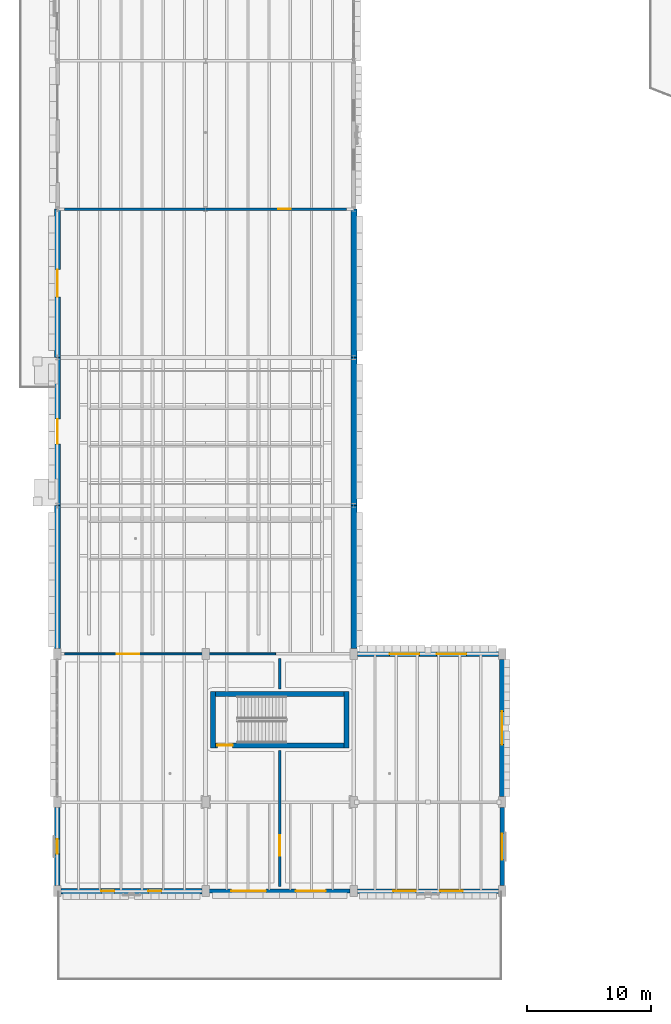
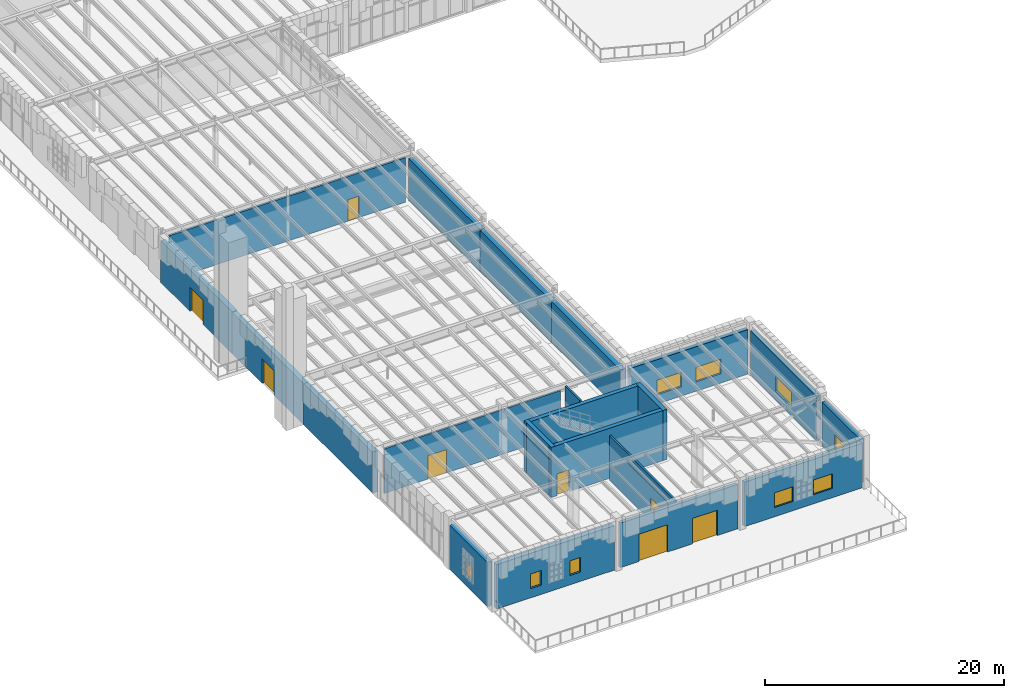
# One storey, part 51 of 103: 21 walls, 9 windows, 8 doors, 17 openings.
"""IFC4 building model written with IfcOpenShell, lengths in metres."""

from ifc_helpers import new_model, si_unit, direction, frame, frame_2d, origin, place, context, subcontext, project, spatial, rectangle, extrude, material, layer, layer_set, type_object, element, fill, save


model = new_model("IFC4")

# Units and contexts
model_context = context("Model", 3, precision=1e-05, world=origin(), true_north=direction((0.0, 1.0)))
body_context = subcontext(model_context, "Body", "Model", "MODEL_VIEW")
ifc_project = project(units=[si_unit("LENGTHUNIT", "METRE"), si_unit("AREAUNIT", "SQUARE_METRE"), si_unit("VOLUMEUNIT", "CUBIC_METRE"), si_unit("PLANEANGLEUNIT", "RADIAN"), si_unit("MASSUNIT", "GRAM", prefix="KILO")], contexts=[model_context])

# Site, building, storey
site_placement = place(None, origin())
site = spatial("IfcSite", under=ifc_project, at=site_placement, CompositionType="ELEMENT")
building_placement = place(site_placement, origin())
building = spatial("IfcBuilding", under=site, at=building_placement, Name="Zlatogorsky Bluff Art Gallery", CompositionType="ELEMENT")
storey_placement = place(building_placement, origin())
storey = spatial("IfcBuildingStorey", under=building, at=storey_placement, Name="L00", CompositionType="ELEMENT", Elevation=0.0)

# Wall, openings, windows
ifc_material_1 = material(Name="Precast concrete C40/50", Category="concrete")
ifc_layer_1 = layer(ifc_material_1, 0.360107421875)
ifc_layer_set_1 = layer_set([ifc_layer_1], Name="Exterior Wall EW-01 360mm")
wall_type_1 = type_object("IfcWallType", Name="Exterior Wall EW-01 360mm", PredefinedType="SOLIDWALL", material=ifc_layer_set_1)
wall_1_placement = place(storey_placement, frame((24.294921875, 7.199951171875, 0.0), z_axis=(0.0, 0.0, 1.0), x_axis=(1.0, 0.0, 0.0)))
wall_1 = element("IfcWall", 1, at=wall_1_placement, inside=storey, type_object=wall_type_1, Name="Exterior wall EW-01 L00 S 2.1", PredefinedType="SOLIDWALL", context=body_context, shape_type="SweptSolid", body=[
    extrude(rectangle(XDim=11.41015625, YDim=0.360107421875, at=frame_2d((5.705078125, 0.0))), origin(), (0.0, 0.0, 1.0), 4.56005859375),
])
opening_1_placement = place(wall_1_placement, frame((2.903076171875, 0.0, 0.949951171875)))
opening_1 = element("IfcOpeningElement", 2, at=opening_1_placement, cuts=wall_1, Name="Opening WN-07", PredefinedType="OPENING", context=body_context, shape_type="SweptSolid", body=[
    extrude(rectangle(XDim=1.800048828125, YDim=1.5, at=frame_2d((0.89990234375, 0.75))), frame((0.0, 0.18994140625, 0.0), z_axis=(0.0, -1.0, 0.0), x_axis=(1.0, 0.0, 0.0)), (0.0, 0.0, 1.0), 0.380126953125),
])
opening_2_placement = place(wall_1_placement, frame((6.70703125, 0.0, 0.949951171875)))
opening_2 = element("IfcOpeningElement", 3, at=opening_2_placement, cuts=wall_1, Name="Opening WN-07", PredefinedType="OPENING", context=body_context, shape_type="SweptSolid", body=[
    extrude(rectangle(XDim=1.800048828125, YDim=1.5, at=frame_2d((0.89990234375, 0.75))), frame((0.0, 0.18994140625, 0.0), z_axis=(0.0, -1.0, 0.0), x_axis=(1.0, 0.0, 0.0)), (0.0, 0.0, 1.0), 0.380126953125),
])
ifc_material_2 = material(Name="Bronze-Anodised Aluminium Triple Glazing", Category="aluminium")
window_type_1 = type_object("IfcWindowType", Name="Pointed-Reveal Window WN-07 1800x1500", PartitioningType="SINGLE_PANEL", PredefinedType="WINDOW", material=ifc_material_2)
window_1_placement = place(opening_1_placement, origin())
window_1 = element("IfcWindow", 4, at=window_1_placement, inside=storey, type_object=window_type_1, Name="Window WN-07 L00.S.2.1.1", OverallHeight=1.5, OverallWidth=1.800048828125, PartitioningType="SINGLE_PANEL", PredefinedType="WINDOW", context=body_context, shape_type="SweptSolid", body=[
    extrude(rectangle(XDim=1.800048828125, YDim=1.5, at=frame_2d((0.89990234375, 0.75))), frame((0.0, 0.030029296875, 0.0), z_axis=(0.0, -1.0, 0.0), x_axis=(1.0, 0.0, 0.0)), (0.0, 0.0, 1.0), 0.06005859375),
])
fill(opening_1, window_1)
window_2_placement = place(opening_2_placement, origin())
window_2 = element("IfcWindow", 5, at=window_2_placement, inside=storey, type_object=window_type_1, Name="Window WN-07 L00.S.2.1.2", OverallHeight=1.5, OverallWidth=1.800048828125, PartitioningType="SINGLE_PANEL", PredefinedType="WINDOW", context=body_context, shape_type="SweptSolid", body=[
    extrude(rectangle(XDim=1.800048828125, YDim=1.5, at=frame_2d((0.89990234375, 0.75))), frame((0.0, 0.030029296875, 0.0), z_axis=(0.0, -1.0, 0.0), x_axis=(1.0, 0.0, 0.0)), (0.0, 0.0, 1.0), 0.06005859375),
])
fill(opening_2, window_2)

# Wall, opening, window
wall_2_placement = place(storey_placement, frame((36.0, 7.64501953125, 0.0), z_axis=(0.0, 0.0, 1.0), x_axis=(0.0, 1.0, 0.0)))
wall_2 = element("IfcWall", 6, at=wall_2_placement, inside=storey, type_object=wall_type_1, Name="Exterior wall EW-01 L00 E 2.1", PredefinedType="SOLIDWALL", context=body_context, shape_type="SweptSolid", body=[
    extrude(rectangle(XDim=6.31005859375, YDim=0.360107421875, at=frame_2d((3.155029296875, 0.0))), origin(), (0.0, 0.0, 1.0), 4.56005859375),
])
opening_3_placement = place(wall_2_placement, frame((2.10498046875, 0.0, 0.949951171875)))
opening_3 = element("IfcOpeningElement", 7, at=opening_3_placement, cuts=wall_2, Name="Opening WN-08", PredefinedType="OPENING", context=body_context, shape_type="SweptSolid", body=[
    extrude(rectangle(XDim=2.10009765625, YDim=1.5, at=frame_2d((1.050048828125, 0.75))), frame((0.0, 0.18994140625, 0.0), z_axis=(0.0, -1.0, 0.0), x_axis=(1.0, 0.0, 0.0)), (0.0, 0.0, 1.0), 0.380126953125),
])
window_type_2 = type_object("IfcWindowType", Name="Pointed-Reveal Window WN-08 2100x1500", PartitioningType="SINGLE_PANEL", PredefinedType="WINDOW", material=ifc_material_2)
window_3_placement = place(opening_3_placement, origin())
window_3 = element("IfcWindow", 8, at=window_3_placement, inside=storey, type_object=window_type_2, Name="Window WN-08 L00.E.2.1.1", OverallHeight=1.5, OverallWidth=2.10009765625, PartitioningType="SINGLE_PANEL", PredefinedType="WINDOW", context=body_context, shape_type="SweptSolid", body=[
    extrude(rectangle(XDim=2.10009765625, YDim=1.5, at=frame_2d((1.050048828125, 0.75))), frame((0.0, 0.030029296875, 0.0), z_axis=(0.0, -1.0, 0.0), x_axis=(1.0, 0.0, 0.0)), (0.0, 0.0, 1.0), 0.06005859375),
])
fill(opening_3, window_3)

# Wall, openings, windows
ifc_layer_2 = layer(ifc_material_1, 0.39990234375)
ifc_layer_set_2 = layer_set([ifc_layer_2], Name="Exterior Wall EW-02 400mm")
wall_type_2 = type_object("IfcWallType", Name="Exterior Wall EW-02 400mm", PredefinedType="SOLIDWALL", material=ifc_layer_set_2)
wall_3_placement = place(storey_placement, frame((35.705078125, 26.39990234375, 0.0), z_axis=(0.0, 0.0, 1.0), x_axis=(-1.0, 0.0, 0.0)))
wall_3 = element("IfcWall", 9, at=wall_3_placement, inside=storey, type_object=wall_type_2, Name="Exterior wall EW-02 L00 N 2.2", PredefinedType="SOLIDWALL", context=body_context, shape_type="SweptSolid", body=[
    extrude(rectangle(XDim=11.41015625, YDim=0.39990234375, at=frame_2d((5.705078125, 0.0))), origin(), (0.0, 0.0, 1.0), 4.56005859375),
])
opening_4_placement = place(wall_3_placement, frame((2.60302734375, 0.0, 0.949951171875)))
opening_4 = element("IfcOpeningElement", 10, at=opening_4_placement, cuts=wall_3, Name="Opening WN-09", PredefinedType="OPENING", context=body_context, shape_type="SweptSolid", body=[
    extrude(rectangle(XDim=2.39990234375, YDim=1.5, at=frame_2d((1.199951171875, 0.75))), frame((0.0, 0.2099609375, 0.0), z_axis=(0.0, -1.0, 0.0), x_axis=(1.0, 0.0, 0.0)), (0.0, 0.0, 1.0), 0.419921875),
])
opening_5_placement = place(wall_3_placement, frame((6.406982421875, 0.0, 0.949951171875)))
opening_5 = element("IfcOpeningElement", 11, at=opening_5_placement, cuts=wall_3, Name="Opening WN-09", PredefinedType="OPENING", context=body_context, shape_type="SweptSolid", body=[
    extrude(rectangle(XDim=2.39990234375, YDim=1.5, at=frame_2d((1.199951171875, 0.75))), frame((0.0, 0.2099609375, 0.0), z_axis=(0.0, -1.0, 0.0), x_axis=(1.0, 0.0, 0.0)), (0.0, 0.0, 1.0), 0.419921875),
])
window_type_3 = type_object("IfcWindowType", Name="Pointed-Reveal Window WN-09 2400x1500", PartitioningType="SINGLE_PANEL", PredefinedType="WINDOW", material=ifc_material_2)
window_4_placement = place(opening_4_placement, origin())
window_4 = element("IfcWindow", 12, at=window_4_placement, inside=storey, type_object=window_type_3, Name="Window WN-09 L00.N.2.2.1", OverallHeight=1.5, OverallWidth=2.39990234375, PartitioningType="SINGLE_PANEL", PredefinedType="WINDOW", context=body_context, shape_type="SweptSolid", body=[
    extrude(rectangle(XDim=2.39990234375, YDim=1.5, at=frame_2d((1.199951171875, 0.75))), frame((0.0, 0.030029296875, 0.0), z_axis=(0.0, -1.0, 0.0), x_axis=(1.0, 0.0, 0.0)), (0.0, 0.0, 1.0), 0.06005859375),
])
fill(opening_4, window_4)
window_5_placement = place(opening_5_placement, origin())
window_5 = element("IfcWindow", 13, at=window_5_placement, inside=storey, type_object=window_type_3, Name="Window WN-09 L00.N.2.2.2", OverallHeight=1.5, OverallWidth=2.39990234375, PartitioningType="SINGLE_PANEL", PredefinedType="WINDOW", context=body_context, shape_type="SweptSolid", body=[
    extrude(rectangle(XDim=2.39990234375, YDim=1.5, at=frame_2d((1.199951171875, 0.75))), frame((0.0, 0.030029296875, 0.0), z_axis=(0.0, -1.0, 0.0), x_axis=(1.0, 0.0, 0.0)), (0.0, 0.0, 1.0), 0.06005859375),
])
fill(opening_5, window_5)

# Wall, opening, window
wall_4_placement = place(storey_placement, frame((36.0, 14.844970703125, 0.0), z_axis=(0.0, 0.0, 1.0), x_axis=(0.0, 1.0, 0.0)))
wall_4 = element("IfcWall", 14, at=wall_4_placement, inside=storey, type_object=wall_type_2, Name="Exterior wall EW-02 L00 E 2.2", PredefinedType="SOLIDWALL", context=body_context, shape_type="SweptSolid", body=[
    extrude(rectangle(XDim=11.110107421875, YDim=0.39990234375, at=frame_2d((5.55517578125, 0.0))), origin(), (0.0, 0.0, 1.0), 4.56005859375),
])
opening_6_placement = place(wall_4_placement, frame((4.205078125, 0.0, 0.949951171875)))
opening_6 = element("IfcOpeningElement", 15, at=opening_6_placement, cuts=wall_4, Name="Opening WN-10", PredefinedType="OPENING", context=body_context, shape_type="SweptSolid", body=[
    extrude(rectangle(XDim=2.699951171875, YDim=1.5, at=frame_2d((1.35009765625, 0.75))), frame((0.0, 0.2099609375, 0.0), z_axis=(0.0, -1.0, 0.0), x_axis=(1.0, 0.0, 0.0)), (0.0, 0.0, 1.0), 0.419921875),
])
window_type_4 = type_object("IfcWindowType", Name="Pointed-Reveal Window WN-10 2700x1500", PartitioningType="SINGLE_PANEL", PredefinedType="WINDOW", material=ifc_material_2)
window_6_placement = place(opening_6_placement, origin())
window_6 = element("IfcWindow", 16, at=window_6_placement, inside=storey, type_object=window_type_4, Name="Window WN-10 L00.E.2.2.1", OverallHeight=1.5, OverallWidth=2.699951171875, PartitioningType="SINGLE_PANEL", PredefinedType="WINDOW", context=body_context, shape_type="SweptSolid", body=[
    extrude(rectangle(XDim=2.699951171875, YDim=1.5, at=frame_2d((1.35009765625, 0.75))), frame((0.0, 0.030029296875, 0.0), z_axis=(0.0, -1.0, 0.0), x_axis=(1.0, 0.0, 0.0)), (0.0, 0.0, 1.0), 0.06005859375),
])
fill(opening_6, window_6)

# Wall, openings, windows
ifc_layer_3 = layer(ifc_material_1, 0.43994140625)
ifc_layer_set_3 = layer_set([ifc_layer_3], Name="Exterior Wall EW-03 440mm")
wall_type_3 = type_object("IfcWallType", Name="Exterior Wall EW-03 440mm", PredefinedType="SOLIDWALL", material=ifc_layer_set_3)
wall_5_placement = place(storey_placement, frame((0.294921875, 7.199951171875, 0.0), z_axis=(0.0, 0.0, 1.0), x_axis=(1.0, 0.0, 0.0)))
wall_5 = element("IfcWall", 17, at=wall_5_placement, inside=storey, type_object=wall_type_3, Name="Exterior wall EW-03 L00 S 0.1", PredefinedType="SOLIDWALL", context=body_context, shape_type="SweptSolid", body=[
    extrude(rectangle(XDim=11.41015625, YDim=0.43994140625, at=frame_2d((5.705078125, 0.0))), origin(), (0.0, 0.0, 1.0), 4.56005859375),
])
opening_7_placement = place(wall_5_placement, frame((3.278076171875, 0.0, 0.949951171875)))
opening_7 = element("IfcOpeningElement", 18, at=opening_7_placement, cuts=wall_5, Name="Opening WN-02", PredefinedType="OPENING", context=body_context, shape_type="SweptSolid", body=[
    extrude(rectangle(XDim=1.050048828125, YDim=1.5, at=frame_2d((0.52490234375, 0.75))), frame((0.0, 0.22998046875, 0.0), z_axis=(0.0, -1.0, 0.0), x_axis=(1.0, 0.0, 0.0)), (0.0, 0.0, 1.0), 0.4599609375),
])
opening_8_placement = place(wall_5_placement, frame((7.08203125, 0.0, 0.949951171875)))
opening_8 = element("IfcOpeningElement", 19, at=opening_8_placement, cuts=wall_5, Name="Opening WN-02", PredefinedType="OPENING", context=body_context, shape_type="SweptSolid", body=[
    extrude(rectangle(XDim=1.050048828125, YDim=1.5, at=frame_2d((0.52490234375, 0.75))), frame((0.0, 0.22998046875, 0.0), z_axis=(0.0, -1.0, 0.0), x_axis=(1.0, 0.0, 0.0)), (0.0, 0.0, 1.0), 0.4599609375),
])
window_type_5 = type_object("IfcWindowType", Name="Pointed-Reveal Window WN-02 1050x1500", PartitioningType="SINGLE_PANEL", PredefinedType="WINDOW", material=ifc_material_2)
window_7_placement = place(opening_7_placement, origin())
window_7 = element("IfcWindow", 20, at=window_7_placement, inside=storey, type_object=window_type_5, Name="Window WN-02 L00.S.0.1.1", OverallHeight=1.5, OverallWidth=1.050048828125, PartitioningType="SINGLE_PANEL", PredefinedType="WINDOW", context=body_context, shape_type="SweptSolid", body=[
    extrude(rectangle(XDim=1.050048828125, YDim=1.5, at=frame_2d((0.52490234375, 0.75))), frame((0.0, 0.030029296875, 0.0), z_axis=(0.0, -1.0, 0.0), x_axis=(1.0, 0.0, 0.0)), (0.0, 0.0, 1.0), 0.06005859375),
])
fill(opening_7, window_7)
window_8_placement = place(opening_8_placement, origin())
window_8 = element("IfcWindow", 21, at=window_8_placement, inside=storey, type_object=window_type_5, Name="Window WN-02 L00.S.0.1.2", OverallHeight=1.5, OverallWidth=1.050048828125, PartitioningType="SINGLE_PANEL", PredefinedType="WINDOW", context=body_context, shape_type="SweptSolid", body=[
    extrude(rectangle(XDim=1.050048828125, YDim=1.5, at=frame_2d((0.52490234375, 0.75))), frame((0.0, 0.030029296875, 0.0), z_axis=(0.0, -1.0, 0.0), x_axis=(1.0, 0.0, 0.0)), (0.0, 0.0, 1.0), 0.06005859375),
])
fill(opening_8, window_8)

# Wall, opening, window
wall_6_placement = place(storey_placement, frame((0.0, 13.955078125, 0.0), z_axis=(0.0, 0.0, 1.0), x_axis=(0.0, -1.0, 0.0)))
wall_6 = element("IfcWall", 22, at=wall_6_placement, inside=storey, type_object=wall_type_3, Name="Exterior wall EW-03 L00 W 0.1", PredefinedType="SOLIDWALL", context=body_context, shape_type="SweptSolid", body=[
    extrude(rectangle(XDim=6.31005859375, YDim=0.43994140625, at=frame_2d((3.155029296875, 0.0))), origin(), (0.0, 0.0, 1.0), 4.56005859375),
])
opening_9_placement = place(wall_6_placement, frame((2.554931640625, 0.0, 0.949951171875)))
opening_9 = element("IfcOpeningElement", 23, at=opening_9_placement, cuts=wall_6, Name="Opening WN-03", PredefinedType="OPENING", context=body_context, shape_type="SweptSolid", body=[
    extrude(rectangle(XDim=1.199951171875, YDim=1.5, at=frame_2d((0.60009765625, 0.75))), frame((0.0, 0.22998046875, 0.0), z_axis=(0.0, -1.0, 0.0), x_axis=(1.0, 0.0, 0.0)), (0.0, 0.0, 1.0), 0.4599609375),
])
window_type_6 = type_object("IfcWindowType", Name="Pointed-Reveal Window WN-03 1200x1500", PartitioningType="SINGLE_PANEL", PredefinedType="WINDOW", material=ifc_material_2)
window_9_placement = place(opening_9_placement, origin())
window_9 = element("IfcWindow", 24, at=window_9_placement, inside=storey, type_object=window_type_6, Name="Window WN-03 L00.W.0.1.1", OverallHeight=1.5, OverallWidth=1.199951171875, PartitioningType="SINGLE_PANEL", PredefinedType="WINDOW", context=body_context, shape_type="SweptSolid", body=[
    extrude(rectangle(XDim=1.199951171875, YDim=1.5, at=frame_2d((0.60009765625, 0.75))), frame((0.0, 0.030029296875, 0.0), z_axis=(0.0, -1.0, 0.0), x_axis=(1.0, 0.0, 0.0)), (0.0, 0.0, 1.0), 0.06005859375),
])
fill(opening_9, window_9)

# Wall, openings, doors
ifc_layer_4 = layer(ifc_material_1, 0.320068359375)
ifc_layer_set_4 = layer_set([ifc_layer_4], Name="Exterior Wall EW-04 320mm")
wall_type_4 = type_object("IfcWallType", Name="Exterior Wall EW-04 320mm", PredefinedType="SOLIDWALL", material=ifc_layer_set_4)
wall_7_placement = place(storey_placement, frame((12.294921875, 7.199951171875, 0.0), z_axis=(0.0, 0.0, 1.0), x_axis=(1.0, 0.0, 0.0)))
wall_7 = element("IfcWall", 25, at=wall_7_placement, inside=storey, type_object=wall_type_4, Name="Exterior wall EW-04 L00 S 1.1", PredefinedType="SOLIDWALL", context=body_context, shape_type="SweptSolid", body=[
    extrude(rectangle(XDim=11.41015625, YDim=0.320068359375, at=frame_2d((5.705078125, 0.0))), origin(), (0.0, 0.0, 1.0), 4.56005859375),
])
opening_10_placement = place(wall_7_placement, frame((1.794921875, 0.0, 0.0)))
opening_10 = element("IfcOpeningElement", 26, at=opening_10_placement, cuts=wall_7, Name="Opening ED-T3", PredefinedType="OPENING", context=body_context, shape_type="SweptSolid", body=[
    extrude(rectangle(XDim=2.800048828125, YDim=2.800048828125, at=frame_2d((1.39990234375, 1.39990234375))), frame((0.0, 0.169921875, 0.0), z_axis=(0.0, -1.0, 0.0), x_axis=(1.0, 0.0, 0.0)), (0.0, 0.0, 1.0), 0.340087890625),
])
opening_11_placement = place(wall_7_placement, frame((7.014892578125, 0.0, 0.0)))
opening_11 = element("IfcOpeningElement", 27, at=opening_11_placement, cuts=wall_7, Name="Opening ED-T2", PredefinedType="OPENING", context=body_context, shape_type="SweptSolid", body=[
    extrude(rectangle(XDim=2.39990234375, YDim=2.60009765625, at=frame_2d((1.199951171875, 1.300048828125))), frame((0.0, 0.169921875, 0.0), z_axis=(0.0, -1.0, 0.0), x_axis=(1.0, 0.0, 0.0)), (0.0, 0.0, 1.0), 0.340087890625),
])
ifc_material_3 = material(Name="Bronze-Clad Thermally Broken Steel and Laminated Glass", Category="steel")
door_type_1 = type_object("IfcDoorType", Name="Exterior Door ED-T2 2400x2600", OperationType="DOUBLE_DOOR_SINGLE_SWING", PredefinedType="DOOR", material=ifc_material_3)
door_1_placement = place(opening_11_placement, frame((2.39990234375, 0.0, 0.0), z_axis=(0.0, 0.0, 1.0), x_axis=(-1.0, 0.0, 0.0)))
door_1 = element("IfcDoor", 28, at=door_1_placement, inside=storey, type_object=door_type_1, Name="Ground exit portal double door ED-T2 S.1.1.2", OperationType="DOUBLE_DOOR_SINGLE_SWING", OverallHeight=2.60009765625, OverallWidth=2.39990234375, PredefinedType="DOOR", context=body_context, shape_type="SweptSolid", body=[
    extrude(rectangle(XDim=2.39990234375, YDim=2.60009765625, at=frame_2d((1.199951171875, 1.300048828125))), frame((0.0, 0.02490234375, 0.0), z_axis=(0.0, -1.0, 0.0), x_axis=(1.0, 0.0, 0.0)), (0.0, 0.0, 1.0), 0.050048828125),
])
fill(opening_11, door_1)
door_type_2 = type_object("IfcDoorType", Name="Exterior Door ED-T3 2800x2800", OperationType="DOUBLE_DOOR_SINGLE_SWING", PredefinedType="DOOR", material=ifc_material_3)
door_2_placement = place(opening_10_placement, frame((2.800048828125, 0.0, 0.0), z_axis=(0.0, 0.0, 1.0), x_axis=(-1.0, 0.0, 0.0)))
door_2 = element("IfcDoor", 29, at=door_2_placement, inside=storey, type_object=door_type_2, Name="Ground exit portal double door ED-T3 S.1.1.1", OperationType="DOUBLE_DOOR_SINGLE_SWING", OverallHeight=2.800048828125, OverallWidth=2.800048828125, PredefinedType="DOOR", context=body_context, shape_type="SweptSolid", body=[
    extrude(rectangle(XDim=2.800048828125, YDim=2.800048828125, at=frame_2d((1.39990234375, 1.39990234375))), frame((0.0, 0.02490234375, 0.0), z_axis=(0.0, -1.0, 0.0), x_axis=(1.0, 0.0, 0.0)), (0.0, 0.0, 1.0), 0.050048828125),
])
fill(opening_10, door_2)

# Wall
ifc_layer_5 = layer(ifc_material_1, 0.47998046875)
ifc_layer_set_5 = layer_set([ifc_layer_5], Name="Exterior Wall EW-05 480mm")
wall_type_5 = type_object("IfcWallType", Name="Exterior Wall EW-05 480mm", PredefinedType="SOLIDWALL", material=ifc_layer_set_5)
wall_8_placement = place(storey_placement, frame((0.0, 38.39990234375, 0.0), z_axis=(0.0, 0.0, 1.0), x_axis=(0.0, -1.0, 0.0)))
element("IfcWall", 30, at=wall_8_placement, inside=storey, type_object=wall_type_5, Name="Exterior wall EW-05 L00 W 0.3", PredefinedType="SOLIDWALL", context=body_context, shape_type="SweptSolid", body=[
    extrude(rectangle(XDim=11.554931640625, YDim=0.47998046875, at=frame_2d((5.77734375, 0.0))), origin(), (0.0, 0.0, 1.0), 4.2099609375),
])

# Wall, opening, door
wall_9_placement = place(storey_placement, frame((0.0, 50.39990234375, 0.0), z_axis=(0.0, 0.0, 1.0), x_axis=(0.0, -1.0, 0.0)))
wall_9 = element("IfcWall", 31, at=wall_9_placement, inside=storey, type_object=wall_type_5, Name="Exterior wall EW-05 L00 W 0.4", PredefinedType="SOLIDWALL", context=body_context, shape_type="SweptSolid", body=[
    extrude(rectangle(XDim=12.0, YDim=0.47998046875, at=frame_2d((6.0, 0.0))), origin(), (0.0, 0.0, 1.0), 4.2099609375),
])
opening_12_placement = place(wall_9_placement, frame((5.0, 0.0, 0.0)))
opening_12 = element("IfcOpeningElement", 32, at=opening_12_placement, cuts=wall_9, Name="Opening ED-T1", PredefinedType="OPENING", context=body_context, shape_type="SweptSolid", body=[
    extrude(rectangle(XDim=2.0, YDim=2.5, at=frame_2d((1.0, 1.25))), frame((0.0, 0.25, 0.0), z_axis=(0.0, -1.0, 0.0), x_axis=(1.0, 0.0, 0.0)), (0.0, 0.0, 1.0), 0.5),
])
door_type_3 = type_object("IfcDoorType", Name="Exterior Door ED-T1 2000x2500", OperationType="DOUBLE_DOOR_SINGLE_SWING", PredefinedType="DOOR", material=ifc_material_3)
door_3_placement = place(opening_12_placement, frame((2.0, 0.0, 0.0), z_axis=(0.0, 0.0, 1.0), x_axis=(-1.0, 0.0, 0.0)))
door_3 = element("IfcDoor", 33, at=door_3_placement, inside=storey, type_object=door_type_3, Name="Ground entrance door ED-T1", OperationType="DOUBLE_DOOR_SINGLE_SWING", OverallHeight=2.5, OverallWidth=2.0, PredefinedType="DOOR", context=body_context, shape_type="SweptSolid", body=[
    extrude(rectangle(XDim=2.0, YDim=2.5, at=frame_2d((1.0, 1.25))), frame((0.0, 0.02490234375, 0.0), z_axis=(0.0, -1.0, 0.0), x_axis=(1.0, 0.0, 0.0)), (0.0, 0.0, 1.0), 0.050048828125),
])
fill(opening_12, door_3)

wall_10_placement = place(storey_placement, frame((0.0, 62.39990234375, 0.0), z_axis=(0.0, 0.0, 1.0), x_axis=(0.0, -1.0, 0.0)))
wall_10 = element("IfcWall", 34, at=wall_10_placement, inside=storey, type_object=wall_type_5, Name="Exterior wall EW-05 L00 W 0.5", PredefinedType="SOLIDWALL", context=body_context, shape_type="SweptSolid", body=[
    extrude(rectangle(XDim=12.0, YDim=0.47998046875, at=frame_2d((6.0, 0.0))), origin(), (0.0, 0.0, 1.0), 4.31005859375),
])
opening_13_placement = place(wall_10_placement, frame((4.89990234375, 0.0, 0.0)))
opening_13 = element("IfcOpeningElement", 35, at=opening_13_placement, cuts=wall_10, Name="Opening ED-T4", PredefinedType="OPENING", context=body_context, shape_type="SweptSolid", body=[
    extrude(rectangle(XDim=2.199951171875, YDim=2.5, at=frame_2d((1.10009765625, 1.25))), frame((0.0, 0.25, 0.0), z_axis=(0.0, -1.0, 0.0), x_axis=(1.0, 0.0, 0.0)), (0.0, 0.0, 1.0), 0.5),
])
door_type_4 = type_object("IfcDoorType", Name="Exterior Door ED-T4 2200x2500", OperationType="DOUBLE_DOOR_SLIDING", PredefinedType="DOOR", material=ifc_material_3)
door_4_placement = place(opening_13_placement, origin())
door_4 = element("IfcDoor", 36, at=door_4_placement, inside=storey, type_object=door_type_4, Name="Ground entrance door ED-T4", OperationType="DOUBLE_DOOR_SLIDING", OverallHeight=2.5, OverallWidth=2.199951171875, PredefinedType="DOOR", context=body_context, shape_type="SweptSolid", body=[
    extrude(rectangle(XDim=2.199951171875, YDim=2.5, at=frame_2d((1.10009765625, 1.25))), frame((0.0, 0.02490234375, 0.0), z_axis=(0.0, -1.0, 0.0), x_axis=(1.0, 0.0, 0.0)), (0.0, 0.0, 1.0), 0.050048828125),
])
fill(opening_13, door_4)

# Walls
wall_11_placement = place(storey_placement, frame((24.0, 26.844970703125, 0.0), z_axis=(0.0, 0.0, 1.0), x_axis=(0.0, 1.0, 0.0)))
element("IfcWall", 37, at=wall_11_placement, inside=storey, type_object=wall_type_5, Name="Exterior wall EW-05 L00 E 1.3", PredefinedType="SOLIDWALL", context=body_context, shape_type="SweptSolid", body=[
    extrude(rectangle(XDim=11.554931640625, YDim=0.47998046875, at=frame_2d((5.77734375, 0.0))), origin(), (0.0, 0.0, 1.0), 4.2099609375),
])
wall_12_placement = place(storey_placement, frame((24.0, 38.39990234375, 0.0), z_axis=(0.0, 0.0, 1.0), x_axis=(0.0, 1.0, 0.0)))
element("IfcWall", 38, at=wall_12_placement, inside=storey, type_object=wall_type_5, Name="Exterior wall EW-05 L00 E 1.4", PredefinedType="SOLIDWALL", context=body_context, shape_type="SweptSolid", body=[
    extrude(rectangle(XDim=12.0, YDim=0.47998046875, at=frame_2d((6.0, 0.0))), origin(), (0.0, 0.0, 1.0), 4.2099609375),
])
wall_13_placement = place(storey_placement, frame((24.0, 50.39990234375, 0.0), z_axis=(0.0, 0.0, 1.0), x_axis=(0.0, 1.0, 0.0)))
element("IfcWall", 39, at=wall_13_placement, inside=storey, type_object=wall_type_5, Name="Exterior wall EW-05 L00 E 1.5", PredefinedType="SOLIDWALL", context=body_context, shape_type="SweptSolid", body=[
    extrude(rectangle(XDim=12.0, YDim=0.47998046875, at=frame_2d((6.0, 0.0))), origin(), (0.0, 0.0, 1.0), 4.31005859375),
])

# Wall, opening, door
ifc_material_4 = material(Name="Concrete C30/37", Category="concrete")
ifc_layer_6 = layer(ifc_material_4, 0.14990234375)
ifc_layer_set_6 = layer_set([ifc_layer_6], Name="Interior Wall IW-01 150mm")
wall_type_6 = type_object("IfcWallType", Name="Interior Wall IW-01 150mm", PredefinedType="PARTITIONING", material=ifc_layer_set_6)
wall_14_placement = place(storey_placement, frame((0.594482421875, 26.39990234375, 0.0), z_axis=(0.0, 0.0, 1.0), x_axis=(1.0, 0.0, 0.0)))
wall_14 = element("IfcWall", 40, at=wall_14_placement, inside=storey, type_object=wall_type_6, Name="Partition IW-01 between L00-E1-11 and L00-A1", PredefinedType="PARTITIONING", context=body_context, shape_type="SweptSolid", body=[
    extrude(rectangle(XDim=17.068115234375, YDim=0.14990234375, at=frame_2d((8.5341796875, 0.0))), origin(), (0.0, 0.0, 1.0), 4.570068359375),
])
opening_14_placement = place(wall_14_placement, frame((4.219970703125, 0.0, 0.0)))
opening_14 = element("IfcOpeningElement", 41, at=opening_14_placement, cuts=wall_14, Name="Opening ID-11", PredefinedType="OPENING", context=body_context, shape_type="SweptSolid", body=[
    extrude(rectangle(XDim=1.800048828125, YDim=2.39990234375, at=frame_2d((0.89990234375, 1.199951171875))), frame((0.0, 0.0849609375, 0.0), z_axis=(0.0, -1.0, 0.0), x_axis=(1.0, 0.0, 0.0)), (0.0, 0.0, 1.0), 0.169921875),
])
ifc_material_5 = material(Name="Anodised Aluminium and Laminated Timber", Category="wood")
door_type_5 = type_object("IfcDoorType", Name="Interior Door ID-11 1800x2400", OperationType="DOUBLE_DOOR_SINGLE_SWING", PredefinedType="DOOR", material=ifc_material_5)
door_5_placement = place(opening_14_placement, origin())
door_5 = element("IfcDoor", 42, at=door_5_placement, inside=storey, type_object=door_type_5, Name="Door ID-11 L00-E1-11-L00-A1", OperationType="DOUBLE_DOOR_SINGLE_SWING", OverallHeight=2.39990234375, OverallWidth=1.800048828125, PredefinedType="DOOR", context=body_context, shape_type="SweptSolid", body=[
    extrude(rectangle(XDim=1.800048828125, YDim=2.39990234375, at=frame_2d((0.89990234375, 1.199951171875))), frame((0.0, 0.02490234375, 0.0), z_axis=(0.0, -1.0, 0.0), x_axis=(1.0, 0.0, 0.0)), (0.0, 0.0, 1.0), 0.050048828125),
])
fill(opening_14, door_5)

ifc_layer_7 = layer(ifc_material_4, 0.179931640625)
ifc_layer_set_7 = layer_set([ifc_layer_7], Name="Interior Wall IW-02 180mm")
wall_type_7 = type_object("IfcWallType", Name="Interior Wall IW-02 180mm", PredefinedType="PARTITIONING", material=ifc_layer_set_7)
wall_15_placement = place(storey_placement, frame((18.0, 7.580078125, 0.0), z_axis=(0.0, 0.0, 1.0), x_axis=(0.0, 1.0, 0.0)))
wall_15 = element("IfcWall", 43, at=wall_15_placement, inside=storey, type_object=wall_type_7, Name="Partition IW-02 between L00-E1-11 and L00-E1-12-S1", PredefinedType="PARTITIONING", context=body_context, shape_type="SweptSolid", body=[
    extrude(rectangle(XDim=11.0, YDim=0.179931640625, at=frame_2d((5.5, 0.0))), origin(), (0.0, 0.0, 1.0), 4.570068359375),
])
opening_15_placement = place(wall_15_placement, frame((2.47509765625, 0.0, 0.0)))
opening_15 = element("IfcOpeningElement", 44, at=opening_15_placement, cuts=wall_15, Name="Opening ID-10", PredefinedType="OPENING", context=body_context, shape_type="SweptSolid", body=[
    extrude(rectangle(XDim=1.64990234375, YDim=2.35009765625, at=frame_2d((0.824951171875, 1.175048828125))), frame((0.0, 0.099853515625, 0.0), z_axis=(0.0, -1.0, 0.0), x_axis=(1.0, 0.0, 0.0)), (0.0, 0.0, 1.0), 0.199951171875),
])
door_type_6 = type_object("IfcDoorType", Name="Interior Door ID-10 1650x2350", OperationType="DOUBLE_DOOR_SINGLE_SWING", PredefinedType="DOOR", material=ifc_material_5)
door_6_placement = place(opening_15_placement, origin())
door_6 = element("IfcDoor", 45, at=door_6_placement, inside=storey, type_object=door_type_6, Name="Door ID-10 L00-E1-11-L00-E1-12-S1", OperationType="DOUBLE_DOOR_SINGLE_SWING", OverallHeight=2.35009765625, OverallWidth=1.64990234375, PredefinedType="DOOR", context=body_context, shape_type="SweptSolid", body=[
    extrude(rectangle(XDim=1.64990234375, YDim=2.35009765625, at=frame_2d((0.824951171875, 1.175048828125))), frame((0.0, 0.02490234375, 0.0), z_axis=(0.0, -1.0, 0.0), x_axis=(1.0, 0.0, 0.0)), (0.0, 0.0, 1.0), 0.050048828125),
])
fill(opening_15, door_6)

# Wall
wall_16_placement = place(storey_placement, frame((18.0, 23.570068359375, 0.0), z_axis=(0.0, 0.0, 1.0), x_axis=(0.0, 1.0, 0.0)))
element("IfcWall", 46, at=wall_16_placement, inside=storey, type_object=wall_type_7, Name="Partition IW-02 between L00-E1-11 and L00-E1-12-S2", PredefinedType="PARTITIONING", context=body_context, shape_type="SweptSolid", body=[
    extrude(rectangle(XDim=2.449951171875, YDim=0.179931640625, at=frame_2d((1.22509765625, 0.0))), origin(), (0.0, 0.0, 1.0), 5.1201171875),
])

# Wall, opening, door
wall_17_placement = place(storey_placement, frame((0.594482421875, 62.39990234375, 0.0), z_axis=(0.0, 0.0, 1.0), x_axis=(1.0, 0.0, 0.0)))
wall_17 = element("IfcWall", 47, at=wall_17_placement, inside=storey, type_object=wall_type_7, Name="Partition IW-02 between L00-A1 and L00-S1", PredefinedType="PARTITIONING", context=body_context, shape_type="SweptSolid", body=[
    extrude(rectangle(XDim=22.81103515625, YDim=0.179931640625, at=frame_2d((11.405517578125, 0.0))), origin(), (0.0, 0.0, 1.0), 4.570068359375),
])
opening_16_placement = place(wall_17_placement, frame((17.26806640625, 0.0, 0.0)))
opening_16 = element("IfcOpeningElement", 48, at=opening_16_placement, cuts=wall_17, Name="Opening ID-04", PredefinedType="OPENING", context=body_context, shape_type="SweptSolid", body=[
    extrude(rectangle(XDim=1.050048828125, YDim=2.199951171875, at=frame_2d((0.52490234375, 1.10009765625))), frame((0.0, 0.099853515625, 0.0), z_axis=(0.0, -1.0, 0.0), x_axis=(1.0, 0.0, 0.0)), (0.0, 0.0, 1.0), 0.199951171875),
])
door_type_7 = type_object("IfcDoorType", Name="Interior Door ID-04 1050x2200", OperationType="SINGLE_SWING_LEFT", PredefinedType="DOOR", material=ifc_material_5)
door_7_placement = place(opening_16_placement, origin())
door_7 = element("IfcDoor", 49, at=door_7_placement, inside=storey, type_object=door_type_7, Name="Door ID-04 L00-A1-L00-S1", OperationType="SINGLE_SWING_RIGHT", OverallHeight=2.199951171875, OverallWidth=1.050048828125, PredefinedType="DOOR", context=body_context, shape_type="SweptSolid", body=[
    extrude(rectangle(XDim=1.050048828125, YDim=2.199951171875, at=frame_2d((0.52490234375, 1.10009765625))), frame((0.0, 0.02490234375, 0.0), z_axis=(0.0, -1.0, 0.0), x_axis=(1.0, 0.0, 0.0)), (0.0, 0.0, 1.0), 0.050048828125),
])
fill(opening_16, door_7)

ifc_material_6 = material(Name="Concrete C35/45", Category="concrete")
ifc_layer_8 = layer(ifc_material_6, 0.39990234375)
ifc_layer_set_8 = layer_set([ifc_layer_8], Name="Interior Wall SW-03 400mm")
wall_type_8 = type_object("IfcWallType", Name="Interior Wall SW-03 400mm", PredefinedType="SHEAR", material=ifc_layer_set_8)
wall_18_placement = place(storey_placement, frame((12.39990234375, 19.0, 0.0), z_axis=(0.0, 0.0, 1.0), x_axis=(1.0, 0.0, 0.0)))
wall_18 = element("IfcWall", 50, at=wall_18_placement, inside=storey, type_object=wall_type_8, Name="Stair ST-09 enclosure wall L00 W0", PredefinedType="SHEAR", context=body_context, shape_type="SweptSolid", body=[
    extrude(rectangle(XDim=11.2001953125, YDim=0.39990234375, at=frame_2d((5.60009765625, 0.0))), origin(), (0.0, 0.0, 1.0), 5.139892578125),
])
opening_17_placement = place(wall_18_placement, frame((0.550048828125, 0.0, 0.0)))
opening_17 = element("IfcOpeningElement", 51, at=opening_17_placement, cuts=wall_18, Name="Opening FD-02", PredefinedType="OPENING", context=body_context, shape_type="SweptSolid", body=[
    extrude(rectangle(XDim=1.239990234375, YDim=2.25, at=frame_2d((0.6201171875, 1.125))), frame((0.0, 0.2099609375, 0.0), z_axis=(0.0, -1.0, 0.0), x_axis=(1.0, 0.0, 0.0)), (0.0, 0.0, 1.0), 0.419921875),
])
door_type_8 = type_object("IfcDoorType", Name="Interior Door FD-02 1240x2250", OperationType="SINGLE_SWING_LEFT", PredefinedType="DOOR", material=ifc_material_5)
door_8_placement = place(opening_17_placement, frame((1.239990234375, 0.0, 0.0), z_axis=(0.0, 0.0, 1.0), x_axis=(-1.0, 0.0, 0.0)))
door_8 = element("IfcDoor", 52, at=door_8_placement, inside=storey, type_object=door_type_8, Name="Stair ST-09 fire door L00", OperationType="SINGLE_SWING_LEFT", OverallHeight=2.25, OverallWidth=1.239990234375, PredefinedType="DOOR", context=body_context, shape_type="SweptSolid", body=[
    extrude(rectangle(XDim=1.239990234375, YDim=2.25, at=frame_2d((0.6201171875, 1.125))), frame((0.0, 0.02490234375, 0.0), z_axis=(0.0, -1.0, 0.0), x_axis=(1.0, 0.0, 0.0)), (0.0, 0.0, 1.0), 0.050048828125),
])
fill(opening_17, door_8)

# Walls
wall_19_placement = place(storey_placement, frame((23.39990234375, 18.800048828125, 0.0), z_axis=(0.0, 0.0, 1.0), x_axis=(0.0, 1.0, 0.0)))
element("IfcWall", 53, at=wall_19_placement, inside=storey, type_object=wall_type_8, Name="Stair ST-09 enclosure wall L00 FEND", PredefinedType="SHEAR", context=body_context, shape_type="SweptSolid", body=[
    extrude(rectangle(XDim=4.550048828125, YDim=0.39990234375, at=frame_2d((2.27490234375, 0.0))), origin(), (0.0, 0.0, 1.0), 5.139892578125),
])
wall_20_placement = place(storey_placement, frame((23.60009765625, 23.14990234375, 0.0), z_axis=(0.0, 0.0, 1.0), x_axis=(-1.0, 0.0, 0.0)))
element("IfcWall", 54, at=wall_20_placement, inside=storey, type_object=wall_type_8, Name="Stair ST-09 enclosure wall L00 W1", PredefinedType="SHEAR", context=body_context, shape_type="SweptSolid", body=[
    extrude(rectangle(XDim=11.2001953125, YDim=0.39990234375, at=frame_2d((5.60009765625, 0.0))), origin(), (0.0, 0.0, 1.0), 5.139892578125),
])
wall_21_placement = place(storey_placement, frame((12.60009765625, 23.35009765625, 0.0), z_axis=(0.0, 0.0, 1.0), x_axis=(0.0, -1.0, 0.0)))
element("IfcWall", 55, at=wall_21_placement, inside=storey, type_object=wall_type_8, Name="Stair ST-09 enclosure wall L00 LEND", PredefinedType="SHEAR", context=body_context, shape_type="SweptSolid", body=[
    extrude(rectangle(XDim=4.550048828125, YDim=0.39990234375, at=frame_2d((2.27490234375, 0.0))), origin(), (0.0, 0.0, 1.0), 5.139892578125),
])

save(model, "model.ifc")
